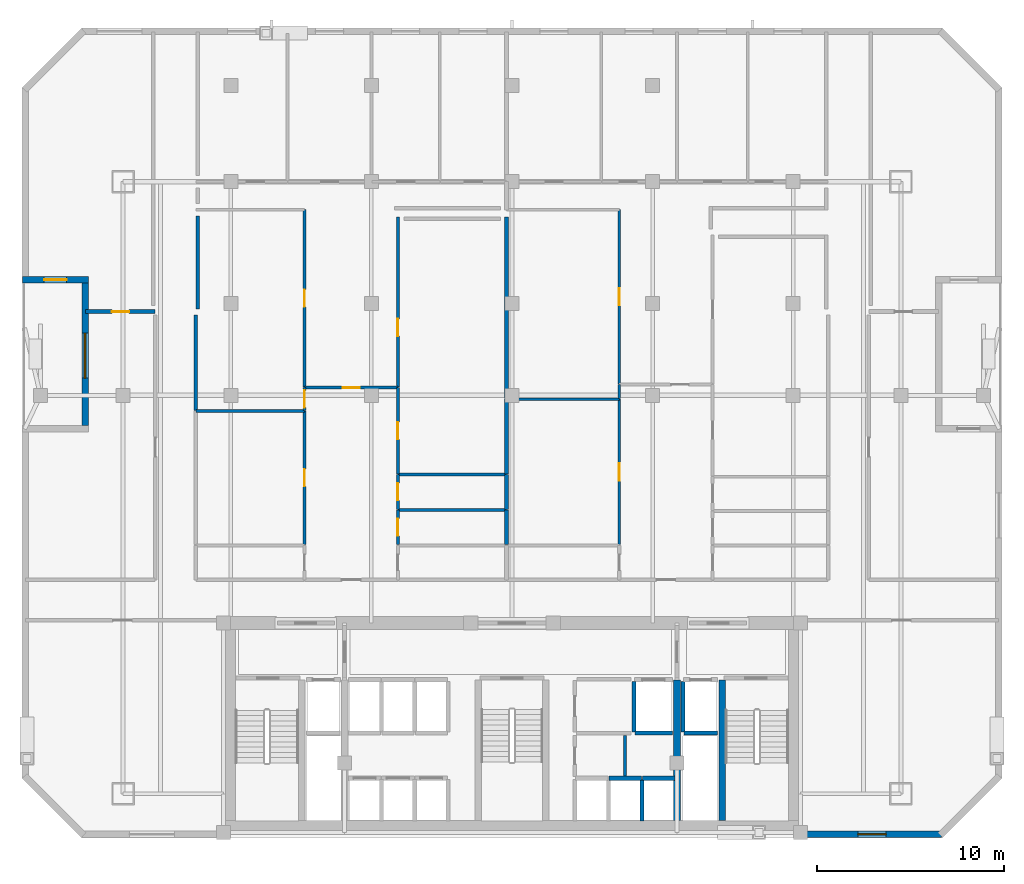
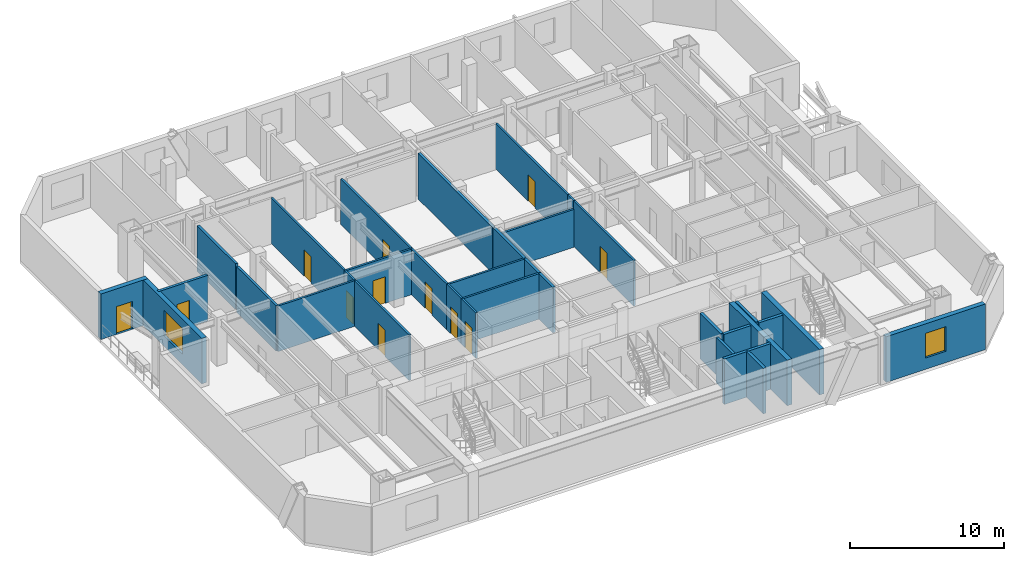
# One storey, part 4 of 9: 35 walls, 12 doors, 2 windows, 14 openings.
"""IFC4 building model written with IfcOpenShell, lengths in metres."""

from ifc_helpers import new_model, si_unit, direction, frame, frame_2d, origin, place, context, subcontext, project, spatial, rectangle, extrude, material, layer, layer_set, type_object, element, fill, save


model = new_model("IFC4")

# Units and contexts
model_context = context("Model", 3, precision=1e-05, world=origin(), true_north=direction((0.0, 1.0)))
body_context = subcontext(model_context, "Body", "Model", "MODEL_VIEW")
ifc_project = project(units=[si_unit("LENGTHUNIT", "METRE"), si_unit("AREAUNIT", "SQUARE_METRE"), si_unit("VOLUMEUNIT", "CUBIC_METRE"), si_unit("PLANEANGLEUNIT", "RADIAN"), si_unit("MASSUNIT", "GRAM", prefix="KILO")], contexts=[model_context])

# Site, building, storey
site_placement = place(None, origin())
site = spatial("IfcSite", under=ifc_project, at=site_placement, CompositionType="ELEMENT")
building_placement = place(site_placement, origin())
building = spatial("IfcBuilding", under=site, at=building_placement, Name="Ventersveld Concourse Tower", CompositionType="ELEMENT")
storey_placement = place(building_placement, frame((0.0, 0.0, 115.699951171875)))
storey = spatial("IfcBuildingStorey", under=building, at=storey_placement, Name="L28", CompositionType="ELEMENT", Elevation=115.699951171875)

# Walls
ifc_material_1 = material(Name="Concrete C60/75", Category="concrete")
ifc_layer_1 = layer(ifc_material_1, 0.35009765625)
ifc_layer_set_1 = layer_set([ifc_layer_1], Name="Concrete C60/75")
wall_type_1 = type_object("IfcWallType", Name="WL-CORE-350L", PredefinedType="SHEAR", material=ifc_layer_set_1)
for number, where, z_axis, x_axis, name in (
    (1, (37.550048828125, 0.919921875, 0.0), (0.0, 0.0, 1.0), (0.0, 1.0, 0.0), "L28 Core Internal Shear Web W-SVL-W"),
    (2, (39.9599609375, 0.919921875, 0.0), (0.0, 0.0, 1.0), (0.0, 1.0, 0.0), "L28 Core Internal Shear Web W-ST2-W"),
):
    element("IfcWall", number, at=place(storey_placement, frame(where, z_axis=z_axis, x_axis=x_axis)), inside=storey, type_object=wall_type_1, Name=name, PredefinedType="SHEAR", context=body_context, shape_type="SweptSolid", body=[
        extrude(rectangle(XDim=7.5, YDim=0.35009765625, at=frame_2d((3.75, 0.0))), origin(), (0.0, 0.0, 1.0), 3.60009765625),
    ])
ifc_material_2 = material(Name="Fire-rated autoclaved aerated masonry blockwork", Category="masonry")
ifc_layer_2 = layer(ifc_material_2, 0.179931640625)
ifc_layer_set_2 = layer_set([ifc_layer_2], Name="Fire-rated autoclaved aerated masonry blockwork")
wall_type_2 = type_object("IfcWallType", Name="WL-CORR-180", PredefinedType="PARTITIONING", material=ifc_layer_set_2)
wall_1_placement = place(storey_placement, frame((34.780029296875, 3.280029296875, 0.0), z_axis=(0.0, 0.0, 1.0), x_axis=(0.0, 1.0, 0.0)))
element("IfcWall", 3, at=wall_1_placement, inside=storey, type_object=wall_type_2, Name="L28 Core East Wall SP-L28-CBAY2", PredefinedType="PARTITIONING", context=body_context, shape_type="SweptSolid", body=[
    extrude(rectangle(XDim=2.169921875, YDim=0.179931640625, at=frame_2d((1.0849609375, 0.0))), origin(), (0.0, 0.0, 1.0), 3.60009765625),
])
wall_2_placement = place(storey_placement, frame((11.889892578125, 22.801513671875, 0.0), z_axis=(0.0, 0.0, 1.0), x_axis=(0.0, 1.0, 0.0)))
element("IfcWall", 4, at=wall_2_placement, inside=storey, type_object=wall_type_2, Name="L28 Interior Partition SP-L28-COR-SP-L28-28N1-MEDL2", PredefinedType="PARTITIONING", context=body_context, shape_type="SweptSolid", body=[
    extrude(rectangle(XDim=5.093505859375, YDim=0.179931640625, at=frame_2d((2.546875, 0.0))), origin(), (0.0, 0.0, 1.0), 3.60009765625),
])
wall_3_placement = place(storey_placement, frame((11.97998046875, 28.2099609375, 0.0), z_axis=(0.0, 0.0, 1.0), x_axis=(0.0, 1.0, 0.0)))
element("IfcWall", 5, at=wall_3_placement, inside=storey, type_object=wall_type_2, Name="L28 Room Enclosure Wall SP-L28-28N1-MEDL2", PredefinedType="PARTITIONING", context=body_context, shape_type="SweptSolid", body=[
    extrude(rectangle(XDim=4.965087890625, YDim=0.179931640625, at=frame_2d((2.482421875, 0.0))), origin(), (0.0, 0.0, 1.0), 3.60009765625),
])

# Wall, opening, door
ifc_layer_3 = layer(ifc_material_2, 0.199951171875)
ifc_layer_set_3 = layer_set([ifc_layer_3], Name="Fire-rated autoclaved aerated masonry blockwork")
wall_type_3 = type_object("IfcWallType", Name="WL-DEMISE-200", PredefinedType="PARTITIONING", material=ifc_layer_set_3)
wall_4_placement = place(storey_placement, frame((6.010009765625, 28.070068359375, 0.0), z_axis=(0.0, 0.0, 1.0), x_axis=(1.0, 0.0, 0.0)))
wall_4 = element("IfcWall", 6, at=wall_4_placement, inside=storey, type_object=wall_type_3, Name="L28 Interior Partition SP-L28-NWLNG1-SP-L28-NWLNG2", PredefinedType="PARTITIONING", context=body_context, shape_type="SweptSolid", body=[
    extrude(rectangle(XDim=3.705078125, YDim=0.199951171875, at=frame_2d((1.8525390625, 0.0))), origin(), (0.0, 0.0, 1.0), 3.60009765625),
])
opening_1_placement = place(wall_4_placement, frame((1.392578125, 0.0, 0.0)))
opening_1 = element("IfcOpeningElement", 7, at=opening_1_placement, cuts=wall_4, Name="Opening ID1", PredefinedType="OPENING", context=body_context, shape_type="SweptSolid", body=[
    extrude(rectangle(XDim=0.919921875, YDim=2.10009765625, at=frame_2d((0.4599609375, 1.050048828125))), frame((0.0, 0.10986328125, 0.0), z_axis=(0.0, -1.0, 0.0), x_axis=(1.0, 0.0, 0.0)), (0.0, 0.0, 1.0), 0.219970703125),
])
ifc_material_3 = material(Name="Solid-core hardwood veneer timber", Category="wood")
door_type_1 = type_object("IfcDoorType", Name="DR-ROOM-092", OperationType="NOTDEFINED", PredefinedType="DOOR", material=ifc_material_3)
door_1_placement = place(opening_1_placement, origin())
door_1 = element("IfcDoor", 8, at=door_1_placement, inside=storey, type_object=door_type_1, Name="L28 Interior Door SP-L28-NWLNG1 to SP-L28-NWLNG2 (D-L28-1390)", OperationType="SINGLE_SWING_RIGHT", OverallHeight=2.10009765625, OverallWidth=0.919921875, PredefinedType="DOOR", context=body_context, shape_type="SweptSolid", body=[
    extrude(rectangle(XDim=0.919921875, YDim=2.10009765625, at=frame_2d((0.4599609375, 1.050048828125))), frame((0.0, 0.02490234375, 0.0), z_axis=(0.0, -1.0, 0.0), x_axis=(1.0, 0.0, 0.0)), (0.0, 0.0, 1.0), 0.050048828125),
])
fill(opening_1, door_1)

# Walls
for number, where, z_axis, x_axis, name in (
    (9, (28.452880859375, 15.635009765625, 0.0), (0.0, 0.0, 1.0), (0.0, 1.0, 0.0), "L28 Interior Partition SP-L28-28N1-KIT-SP-L28-28N2-OFFL0"),
    (10, (28.452880859375, 17.52587890625, 0.0), (0.0, 0.0, 1.0), (0.0, 1.0, 0.0), "L28 Interior Partition SP-L28-28N1-PANR1-SP-L28-28N2-OFFL0"),
):
    element("IfcWall", number, at=place(storey_placement, frame(where, z_axis=z_axis, x_axis=x_axis)), inside=storey, type_object=wall_type_3, Name=name, PredefinedType="PARTITIONING", context=body_context, shape_type="SweptSolid", body=[
        extrude(rectangle(XDim=1.86083984375, YDim=0.199951171875, at=frame_2d((0.930419921875, 0.0))), origin(), (0.0, 0.0, 1.0), 3.60009765625),
    ])
wall_5_placement = place(storey_placement, frame((28.452880859375, 19.41650390625, 0.0), z_axis=(0.0, 0.0, 1.0), x_axis=(0.0, 1.0, 0.0)))
element("IfcWall", 11, at=wall_5_placement, inside=storey, type_object=wall_type_3, Name="L28 Interior Partition SP-L28-28N1-DENR-SP-L28-28N2-OFFL0", PredefinedType="PARTITIONING", context=body_context, shape_type="SweptSolid", body=[
    extrude(rectangle(XDim=3.98486328125, YDim=0.199951171875, at=frame_2d((1.992431640625, 0.0))), origin(), (0.0, 0.0, 1.0), 3.60009765625),
])
wall_6_placement = place(storey_placement, frame((28.452880859375, 23.431396484375, 0.0), z_axis=(0.0, 0.0, 1.0), x_axis=(0.0, 1.0, 0.0)))
element("IfcWall", 12, at=wall_6_placement, inside=storey, type_object=wall_type_3, Name="L28 Interior Partition SP-L28-28N1-DENR-SP-L28-28N2-MEDL2", PredefinedType="PARTITIONING", context=body_context, shape_type="SweptSolid", body=[
    extrude(rectangle(XDim=9.67919921875, YDim=0.199951171875, at=frame_2d((4.839599609375, 0.0))), origin(), (0.0, 0.0, 1.0), 3.60009765625),
])
ifc_layer_4 = layer(ifc_material_2, 0.219970703125)
ifc_layer_set_4 = layer_set([ifc_layer_4], Name="Fire-rated autoclaved aerated masonry blockwork")
wall_type_4 = type_object("IfcWallType", Name="WL-HOIST-220", PredefinedType="SOLIDWALL", material=ifc_layer_set_4)
wall_7_placement = place(storey_placement, frame((37.919921875, 5.590087890625, 0.0), z_axis=(0.0, 0.0, 1.0), x_axis=(1.0, 0.0, 0.0)))
element("IfcWall", 13, at=wall_7_placement, inside=storey, type_object=wall_type_4, Name="L28 Lift Hoistway Back Wall FFL-02", PredefinedType="SOLIDWALL", context=body_context, shape_type="SweptSolid", body=[
    extrude(rectangle(XDim=1.780029296875, YDim=0.219970703125, at=frame_2d((0.89013671875, 0.0))), origin(), (0.0, 0.0, 1.0), 3.60009765625),
])
wall_8_placement = place(storey_placement, frame((37.8798828125, 5.64990234375, 0.0), z_axis=(0.0, 0.0, 1.0), x_axis=(0.0, 1.0, 0.0)))
element("IfcWall", 14, at=wall_8_placement, inside=storey, type_object=wall_type_4, Name="L28 Lift Hoistway Side Wall FFL-02W", PredefinedType="SOLIDWALL", context=body_context, shape_type="SweptSolid", body=[
    extrude(rectangle(XDim=2.7001953125, YDim=0.219970703125, at=frame_2d((1.35009765625, 0.0))), origin(), (0.0, 0.0, 1.0), 3.60009765625),
])
wall_9_placement = place(storey_placement, frame((35.300048828125, 5.590087890625, 0.0), z_axis=(0.0, 0.0, 1.0), x_axis=(1.0, 0.0, 0.0)))
element("IfcWall", 15, at=wall_9_placement, inside=storey, type_object=wall_type_4, Name="L28 Lift Hoistway Back Wall SVL-01", PredefinedType="SOLIDWALL", context=body_context, shape_type="SweptSolid", body=[
    extrude(rectangle(XDim=2.0, YDim=0.219970703125, at=frame_2d((1.0, 0.0))), origin(), (0.0, 0.0, 1.0), 3.60009765625),
])
wall_10_placement = place(storey_placement, frame((35.260009765625, 5.64990234375, 0.0), z_axis=(0.0, 0.0, 1.0), x_axis=(0.0, 1.0, 0.0)))
element("IfcWall", 16, at=wall_10_placement, inside=storey, type_object=wall_type_4, Name="L28 Lift Hoistway Side Wall SVL-01W", PredefinedType="SOLIDWALL", context=body_context, shape_type="SweptSolid", body=[
    extrude(rectangle(XDim=2.7001953125, YDim=0.219970703125, at=frame_2d((1.35009765625, 0.0))), origin(), (0.0, 0.0, 1.0), 3.60009765625),
])
wall_11_placement = place(storey_placement, frame((35.679931640625, 0.89990234375, 0.0), z_axis=(0.0, 0.0, 1.0), x_axis=(0.0, 1.0, 0.0)))
element("IfcWall", 17, at=wall_11_placement, inside=storey, type_object=wall_type_4, Name="L28 Lift Hoistway Side Wall PM-02E", PredefinedType="SOLIDWALL", context=body_context, shape_type="SweptSolid", body=[
    extrude(rectangle(XDim=2.2001953125, YDim=0.219970703125, at=frame_2d((1.10009765625, 0.0))), origin(), (0.0, 0.0, 1.0), 3.60009765625),
])
for number, where, z_axis, x_axis, name in (
    (18, (33.919921875, 3.179931640625, 0.0), (0.0, 0.0, 1.0), (1.0, 0.0, 0.0), "L28 Lift Hoistway Front Wall PM-02"),
    (19, (35.699951171875, 3.179931640625, 0.0), (0.0, 0.0, 1.0), (1.0, 0.0, 0.0), "L28 Lift Hoistway Front Wall PM-03"),
):
    element("IfcWall", number, at=place(storey_placement, frame(where, z_axis=z_axis, x_axis=x_axis)), inside=storey, type_object=wall_type_4, Name=name, PredefinedType="SOLIDWALL", context=body_context, shape_type="SweptSolid", body=[
        extrude(rectangle(XDim=1.739990234375, YDim=0.219970703125, at=frame_2d((0.8701171875, 0.0))), origin(), (0.0, 0.0, 1.0), 3.60009765625),
    ])

# Wall, opening, door
ifc_material_4 = material(Name="Autoclaved aerated masonry blockwork", Category="masonry")
ifc_layer_5 = layer(ifc_material_4, 0.14990234375)
ifc_layer_set_5 = layer_set([ifc_layer_5], Name="Autoclaved aerated masonry blockwork")
wall_type_5 = type_object("IfcWallType", Name="WL-INT-150", PredefinedType="PARTITIONING", material=ifc_layer_set_5)
wall_12_placement = place(storey_placement, frame((17.676513671875, 24.0185546875, 0.0), z_axis=(0.0, 0.0, 1.0), x_axis=(1.0, 0.0, 0.0)))
wall_12 = element("IfcWall", 20, at=wall_12_placement, inside=storey, type_object=wall_type_5, Name="L28 Interior Partition SP-L28-28N1-FOY-SP-L28-28N1-LIV", PredefinedType="PARTITIONING", context=body_context, shape_type="SweptSolid", body=[
    extrude(rectangle(XDim=4.989990234375, YDim=0.14990234375, at=frame_2d((2.4951171875, 0.0))), origin(), (0.0, 0.0, 1.0), 3.60009765625),
])
opening_2_placement = place(wall_12_placement, frame((2.034912109375, 0.0, 0.0)))
opening_2 = element("IfcOpeningElement", 21, at=opening_2_placement, cuts=wall_12, Name="Opening ID1", PredefinedType="OPENING", context=body_context, shape_type="SweptSolid", body=[
    extrude(rectangle(XDim=0.919921875, YDim=2.10009765625, at=frame_2d((0.4599609375, 1.050048828125))), frame((0.0, 0.0849609375, 0.0), z_axis=(0.0, -1.0, 0.0), x_axis=(1.0, 0.0, 0.0)), (0.0, 0.0, 1.0), 0.169921875),
])
door_2_placement = place(opening_2_placement, origin())
door_2 = element("IfcDoor", 22, at=door_2_placement, inside=storey, type_object=door_type_1, Name="L28 Interior Door SP-L28-28N1-FOY to SP-L28-28N1-LIV (D-L28-1392)", OperationType="SINGLE_SWING_RIGHT", OverallHeight=2.10009765625, OverallWidth=0.919921875, PredefinedType="DOOR", context=body_context, shape_type="SweptSolid", body=[
    extrude(rectangle(XDim=0.919921875, YDim=2.10009765625, at=frame_2d((0.4599609375, 1.050048828125))), frame((0.0, 0.02490234375, 0.0), z_axis=(0.0, -1.0, 0.0), x_axis=(1.0, 0.0, 0.0)), (0.0, 0.0, 1.0), 0.050048828125),
])
fill(opening_2, door_2)

wall_13_placement = place(storey_placement, frame((17.681396484375, 15.635009765625, 0.0), z_axis=(0.0, 0.0, 1.0), x_axis=(0.0, 1.0, 0.0)))
wall_13 = element("IfcWall", 23, at=wall_13_placement, inside=storey, type_object=wall_type_5, Name="L28 Interior Partition SP-L28-28N1-FOY-SP-L28-28N1-OFFL0", PredefinedType="PARTITIONING", context=body_context, shape_type="SweptSolid", body=[
    extrude(rectangle(XDim=7.136474609375, YDim=0.14990234375, at=frame_2d((3.568359375, 0.0))), origin(), (0.0, 0.0, 1.0), 3.60009765625),
])
opening_3_placement = place(wall_13_placement, frame((3.108154296875, 0.0, 0.0)))
opening_3 = element("IfcOpeningElement", 24, at=opening_3_placement, cuts=wall_13, Name="Opening ID1", PredefinedType="OPENING", context=body_context, shape_type="SweptSolid", body=[
    extrude(rectangle(XDim=0.919921875, YDim=2.10009765625, at=frame_2d((0.4599609375, 1.050048828125))), frame((0.0, 0.0849609375, 0.0), z_axis=(0.0, -1.0, 0.0), x_axis=(1.0, 0.0, 0.0)), (0.0, 0.0, 1.0), 0.169921875),
])
door_3_placement = place(opening_3_placement, origin())
door_3 = element("IfcDoor", 25, at=door_3_placement, inside=storey, type_object=door_type_1, Name="L28 Interior Door SP-L28-28N1-FOY to SP-L28-28N1-OFFL0 (D-L28-1394)", OperationType="SINGLE_SWING_RIGHT", OverallHeight=2.10009765625, OverallWidth=0.919921875, PredefinedType="DOOR", context=body_context, shape_type="SweptSolid", body=[
    extrude(rectangle(XDim=0.919921875, YDim=2.10009765625, at=frame_2d((0.4599609375, 1.050048828125))), frame((0.0, 0.02490234375, 0.0), z_axis=(0.0, -1.0, 0.0), x_axis=(1.0, 0.0, 0.0)), (0.0, 0.0, 1.0), 0.050048828125),
])
fill(opening_3, door_3)

wall_14_placement = place(storey_placement, frame((17.681396484375, 22.801513671875, 0.0), z_axis=(0.0, 0.0, 1.0), x_axis=(0.0, 1.0, 0.0)))
wall_14 = element("IfcWall", 26, at=wall_14_placement, inside=storey, type_object=wall_type_5, Name="L28 Interior Partition SP-L28-28N1-FOY-SP-L28-28N1-MEDL2", PredefinedType="PARTITIONING", context=body_context, shape_type="SweptSolid", body=[
    extrude(rectangle(XDim=1.22216796875, YDim=0.14990234375, at=frame_2d((0.611083984375, 0.0))), origin(), (0.0, 0.0, 1.0), 3.60009765625),
])
opening_4_placement = place(wall_14_placement, frame((0.15087890625, 0.0, 0.0)))
opening_4 = element("IfcOpeningElement", 27, at=opening_4_placement, cuts=wall_14, Name="Opening ID1", PredefinedType="OPENING", context=body_context, shape_type="SweptSolid", body=[
    extrude(rectangle(XDim=0.919921875, YDim=2.10009765625, at=frame_2d((0.4599609375, 1.050048828125))), frame((0.0, 0.0849609375, 0.0), z_axis=(0.0, -1.0, 0.0), x_axis=(1.0, 0.0, 0.0)), (0.0, 0.0, 1.0), 0.169921875),
])
door_4_placement = place(opening_4_placement, origin())
door_4 = element("IfcDoor", 28, at=door_4_placement, inside=storey, type_object=door_type_1, Name="L28 Interior Door SP-L28-28N1-FOY to SP-L28-28N1-MEDL2 (D-L28-1395)", OperationType="SINGLE_SWING_LEFT", OverallHeight=2.10009765625, OverallWidth=0.919921875, PredefinedType="DOOR", context=body_context, shape_type="SweptSolid", body=[
    extrude(rectangle(XDim=0.919921875, YDim=2.10009765625, at=frame_2d((0.4599609375, 1.050048828125))), frame((0.0, 0.02490234375, 0.0), z_axis=(0.0, -1.0, 0.0), x_axis=(1.0, 0.0, 0.0)), (0.0, 0.0, 1.0), 0.050048828125),
])
fill(opening_4, door_4)

wall_15_placement = place(storey_placement, frame((22.66162109375, 15.635009765625, 0.0), z_axis=(0.0, 0.0, 1.0), x_axis=(0.0, 1.0, 0.0)))
wall_15 = element("IfcWall", 29, at=wall_15_placement, inside=storey, type_object=wall_type_5, Name="L28 Interior Partition SP-L28-28N1-FOY-SP-L28-28N1-KIT", PredefinedType="PARTITIONING", context=body_context, shape_type="SweptSolid", body=[
    extrude(rectangle(XDim=1.86083984375, YDim=0.14990234375, at=frame_2d((0.930419921875, 0.0))), origin(), (0.0, 0.0, 1.0), 3.60009765625),
])
opening_5_placement = place(wall_15_placement, frame((0.470458984375, 0.0, 0.0)))
opening_5 = element("IfcOpeningElement", 30, at=opening_5_placement, cuts=wall_15, Name="Opening ID1", PredefinedType="OPENING", context=body_context, shape_type="SweptSolid", body=[
    extrude(rectangle(XDim=0.919921875, YDim=2.10009765625, at=frame_2d((0.4599609375, 1.050048828125))), frame((0.0, 0.0849609375, 0.0), z_axis=(0.0, -1.0, 0.0), x_axis=(1.0, 0.0, 0.0)), (0.0, 0.0, 1.0), 0.169921875),
])
door_5_placement = place(opening_5_placement, origin())
door_5 = element("IfcDoor", 31, at=door_5_placement, inside=storey, type_object=door_type_1, Name="L28 Interior Door SP-L28-28N1-FOY to SP-L28-28N1-KIT (D-L28-1397)", OperationType="SINGLE_SWING_LEFT", OverallHeight=2.10009765625, OverallWidth=0.919921875, PredefinedType="DOOR", context=body_context, shape_type="SweptSolid", body=[
    extrude(rectangle(XDim=0.919921875, YDim=2.10009765625, at=frame_2d((0.4599609375, 1.050048828125))), frame((0.0, 0.02490234375, 0.0), z_axis=(0.0, -1.0, 0.0), x_axis=(1.0, 0.0, 0.0)), (0.0, 0.0, 1.0), 0.050048828125),
])
fill(opening_5, door_5)

wall_16_placement = place(storey_placement, frame((22.66162109375, 17.52587890625, 0.0), z_axis=(0.0, 0.0, 1.0), x_axis=(0.0, 1.0, 0.0)))
wall_16 = element("IfcWall", 32, at=wall_16_placement, inside=storey, type_object=wall_type_5, Name="L28 Interior Partition SP-L28-28N1-FOY-SP-L28-28N1-PANR1", PredefinedType="PARTITIONING", context=body_context, shape_type="SweptSolid", body=[
    extrude(rectangle(XDim=1.86083984375, YDim=0.14990234375, at=frame_2d((0.930419921875, 0.0))), origin(), (0.0, 0.0, 1.0), 3.60009765625),
])
opening_6_placement = place(wall_16_placement, frame((0.470458984375, 0.0, 0.0)))
opening_6 = element("IfcOpeningElement", 33, at=opening_6_placement, cuts=wall_16, Name="Opening ID1", PredefinedType="OPENING", context=body_context, shape_type="SweptSolid", body=[
    extrude(rectangle(XDim=0.919921875, YDim=2.10009765625, at=frame_2d((0.4599609375, 1.050048828125))), frame((0.0, 0.0849609375, 0.0), z_axis=(0.0, -1.0, 0.0), x_axis=(1.0, 0.0, 0.0)), (0.0, 0.0, 1.0), 0.169921875),
])
door_6_placement = place(opening_6_placement, origin())
door_6 = element("IfcDoor", 34, at=door_6_placement, inside=storey, type_object=door_type_1, Name="L28 Interior Door SP-L28-28N1-FOY to SP-L28-28N1-PANR1 (D-L28-1398)", OperationType="SINGLE_SWING_RIGHT", OverallHeight=2.10009765625, OverallWidth=0.919921875, PredefinedType="DOOR", context=body_context, shape_type="SweptSolid", body=[
    extrude(rectangle(XDim=0.919921875, YDim=2.10009765625, at=frame_2d((0.4599609375, 1.050048828125))), frame((0.0, 0.02490234375, 0.0), z_axis=(0.0, -1.0, 0.0), x_axis=(1.0, 0.0, 0.0)), (0.0, 0.0, 1.0), 0.050048828125),
])
fill(opening_6, door_6)

wall_17_placement = place(storey_placement, frame((22.66162109375, 19.41650390625, 0.0), z_axis=(0.0, 0.0, 1.0), x_axis=(0.0, 1.0, 0.0)))
wall_17 = element("IfcWall", 35, at=wall_17_placement, inside=storey, type_object=wall_type_5, Name="L28 Interior Partition SP-L28-28N1-FOY-SP-L28-28N1-DENR", PredefinedType="PARTITIONING", context=body_context, shape_type="SweptSolid", body=[
    extrude(rectangle(XDim=4.607177734375, YDim=0.14990234375, at=frame_2d((2.3037109375, 0.0))), origin(), (0.0, 0.0, 1.0), 3.60009765625),
])
opening_7_placement = place(wall_17_placement, frame((1.843505859375, 0.0, 0.0)))
opening_7 = element("IfcOpeningElement", 36, at=opening_7_placement, cuts=wall_17, Name="Opening ID1", PredefinedType="OPENING", context=body_context, shape_type="SweptSolid", body=[
    extrude(rectangle(XDim=0.919921875, YDim=2.10009765625, at=frame_2d((0.4599609375, 1.050048828125))), frame((0.0, 0.0849609375, 0.0), z_axis=(0.0, -1.0, 0.0), x_axis=(1.0, 0.0, 0.0)), (0.0, 0.0, 1.0), 0.169921875),
])
door_7_placement = place(opening_7_placement, origin())
door_7 = element("IfcDoor", 37, at=door_7_placement, inside=storey, type_object=door_type_1, Name="L28 Interior Door SP-L28-28N1-FOY to SP-L28-28N1-DENR (D-L28-1399)", OperationType="SINGLE_SWING_LEFT", OverallHeight=2.10009765625, OverallWidth=0.919921875, PredefinedType="DOOR", context=body_context, shape_type="SweptSolid", body=[
    extrude(rectangle(XDim=0.919921875, YDim=2.10009765625, at=frame_2d((0.4599609375, 1.050048828125))), frame((0.0, 0.02490234375, 0.0), z_axis=(0.0, -1.0, 0.0), x_axis=(1.0, 0.0, 0.0)), (0.0, 0.0, 1.0), 0.050048828125),
])
fill(opening_7, door_7)

wall_18_placement = place(storey_placement, frame((17.681396484375, 24.0537109375, 0.0), z_axis=(0.0, 0.0, 1.0), x_axis=(0.0, 1.0, 0.0)))
wall_18 = element("IfcWall", 38, at=wall_18_placement, inside=storey, type_object=wall_type_5, Name="L28 Interior Partition SP-L28-28N1-LIV-SP-L28-28N1-MEDL2", PredefinedType="PARTITIONING", context=body_context, shape_type="SweptSolid", body=[
    extrude(rectangle(XDim=9.451171875, YDim=0.14990234375, at=frame_2d((4.7255859375, 0.0))), origin(), (0.0, 0.0, 1.0), 3.60009765625),
])
opening_8_placement = place(wall_18_placement, frame((4.265625, 0.0, 0.0)))
opening_8 = element("IfcOpeningElement", 39, at=opening_8_placement, cuts=wall_18, Name="Opening ID1", PredefinedType="OPENING", context=body_context, shape_type="SweptSolid", body=[
    extrude(rectangle(XDim=0.919921875, YDim=2.10009765625, at=frame_2d((0.4599609375, 1.050048828125))), frame((0.0, 0.0849609375, 0.0), z_axis=(0.0, -1.0, 0.0), x_axis=(1.0, 0.0, 0.0)), (0.0, 0.0, 1.0), 0.169921875),
])
door_8_placement = place(opening_8_placement, origin())
door_8 = element("IfcDoor", 40, at=door_8_placement, inside=storey, type_object=door_type_1, Name="L28 Interior Door SP-L28-28N1-LIV to SP-L28-28N1-MEDL2 (D-L28-1400)", OperationType="SINGLE_SWING_RIGHT", OverallHeight=2.10009765625, OverallWidth=0.919921875, PredefinedType="DOOR", context=body_context, shape_type="SweptSolid", body=[
    extrude(rectangle(XDim=0.919921875, YDim=2.10009765625, at=frame_2d((0.4599609375, 1.050048828125))), frame((0.0, 0.02490234375, 0.0), z_axis=(0.0, -1.0, 0.0), x_axis=(1.0, 0.0, 0.0)), (0.0, 0.0, 1.0), 0.050048828125),
])
fill(opening_8, door_8)

wall_19_placement = place(storey_placement, frame((22.66162109375, 24.0537109375, 0.0), z_axis=(0.0, 0.0, 1.0), x_axis=(0.0, 1.0, 0.0)))
wall_19 = element("IfcWall", 41, at=wall_19_placement, inside=storey, type_object=wall_type_5, Name="L28 Interior Partition SP-L28-28N1-LIV-SP-L28-28N1-DENR", PredefinedType="PARTITIONING", context=body_context, shape_type="SweptSolid", body=[
    extrude(rectangle(XDim=9.056884765625, YDim=0.14990234375, at=frame_2d((4.5283203125, 0.0))), origin(), (0.0, 0.0, 1.0), 3.60009765625),
])
opening_9_placement = place(wall_19_placement, frame((2.7099609375, 0.0, 0.0)))
opening_9 = element("IfcOpeningElement", 42, at=opening_9_placement, cuts=wall_19, Name="Opening ID1", PredefinedType="OPENING", context=body_context, shape_type="SweptSolid", body=[
    extrude(rectangle(XDim=0.919921875, YDim=2.10009765625, at=frame_2d((0.4599609375, 1.050048828125))), frame((0.0, 0.0849609375, 0.0), z_axis=(0.0, -1.0, 0.0), x_axis=(1.0, 0.0, 0.0)), (0.0, 0.0, 1.0), 0.169921875),
])
door_9_placement = place(opening_9_placement, origin())
door_9 = element("IfcDoor", 43, at=door_9_placement, inside=storey, type_object=door_type_1, Name="L28 Interior Door SP-L28-28N1-LIV to SP-L28-28N1-DENR (D-L28-1401)", OperationType="SINGLE_SWING_LEFT", OverallHeight=2.10009765625, OverallWidth=0.919921875, PredefinedType="DOOR", context=body_context, shape_type="SweptSolid", body=[
    extrude(rectangle(XDim=0.919921875, YDim=2.10009765625, at=frame_2d((0.4599609375, 1.050048828125))), frame((0.0, 0.02490234375, 0.0), z_axis=(0.0, -1.0, 0.0), x_axis=(1.0, 0.0, 0.0)), (0.0, 0.0, 1.0), 0.050048828125),
])
fill(opening_9, door_9)

# Walls
for number, where, z_axis, x_axis, name in (
    (44, (11.885009765625, 22.7666015625, 0.0), (0.0, 0.0, 1.0), (1.0, 0.0, 0.0), "L28 Interior Partition SP-L28-28N1-OFFL0-SP-L28-28N1-MEDL2"),
    (45, (22.656494140625, 17.49072265625, 0.0), (0.0, 0.0, 1.0), (1.0, 0.0, 0.0), "L28 Interior Partition SP-L28-28N1-KIT-SP-L28-28N1-PANR1"),
    (46, (22.656494140625, 19.381591796875, 0.0), (0.0, 0.0, 1.0), (1.0, 0.0, 0.0), "L28 Interior Partition SP-L28-28N1-PANR1-SP-L28-28N1-DENR"),
):
    element("IfcWall", number, at=place(storey_placement, frame(where, z_axis=z_axis, x_axis=x_axis)), inside=storey, type_object=wall_type_5, Name=name, PredefinedType="PARTITIONING", context=body_context, shape_type="SweptSolid", body=[
        extrude(rectangle(XDim=5.801513671875, YDim=0.14990234375, at=frame_2d((2.90087890625, 0.0))), origin(), (0.0, 0.0, 1.0), 3.60009765625),
    ])

# Wall, opening, door
wall_20_placement = place(storey_placement, frame((34.470703125, 15.635009765625, 0.0), z_axis=(0.0, 0.0, 1.0), x_axis=(0.0, 1.0, 0.0)))
wall_20 = element("IfcWall", 47, at=wall_20_placement, inside=storey, type_object=wall_type_5, Name="L28 Interior Partition SP-L28-28N2-FOY-SP-L28-28N2-OFFL0", PredefinedType="PARTITIONING", context=body_context, shape_type="SweptSolid", body=[
    extrude(rectangle(XDim=7.766357421875, YDim=0.14990234375, at=frame_2d((3.88330078125, 0.0))), origin(), (0.0, 0.0, 1.0), 3.60009765625),
])
opening_10_placement = place(wall_20_placement, frame((3.423095703125, 0.0, 0.0)))
opening_10 = element("IfcOpeningElement", 48, at=opening_10_placement, cuts=wall_20, Name="Opening ID1", PredefinedType="OPENING", context=body_context, shape_type="SweptSolid", body=[
    extrude(rectangle(XDim=0.919921875, YDim=2.10009765625, at=frame_2d((0.4599609375, 1.050048828125))), frame((0.0, 0.0849609375, 0.0), z_axis=(0.0, -1.0, 0.0), x_axis=(1.0, 0.0, 0.0)), (0.0, 0.0, 1.0), 0.169921875),
])
door_10_placement = place(opening_10_placement, origin())
door_10 = element("IfcDoor", 49, at=door_10_placement, inside=storey, type_object=door_type_1, Name="L28 Interior Door SP-L28-28N2-FOY to SP-L28-28N2-OFFL0 (D-L28-1408)", OperationType="SINGLE_SWING_RIGHT", OverallHeight=2.10009765625, OverallWidth=0.919921875, PredefinedType="DOOR", context=body_context, shape_type="SweptSolid", body=[
    extrude(rectangle(XDim=0.919921875, YDim=2.10009765625, at=frame_2d((0.4599609375, 1.050048828125))), frame((0.0, 0.02490234375, 0.0), z_axis=(0.0, -1.0, 0.0), x_axis=(1.0, 0.0, 0.0)), (0.0, 0.0, 1.0), 0.050048828125),
])
fill(opening_10, door_10)

# Wall
wall_21_placement = place(storey_placement, frame((34.470703125, 23.431396484375, 0.0), z_axis=(0.0, 0.0, 1.0), x_axis=(0.0, 1.0, 0.0)))
element("IfcWall", 50, at=wall_21_placement, inside=storey, type_object=wall_type_5, Name="L28 Interior Partition SP-L28-28N2-FOY-SP-L28-28N2-MEDL2", PredefinedType="PARTITIONING", context=body_context, shape_type="SweptSolid", body=[
    extrude(rectangle(XDim=0.755615234375, YDim=0.14990234375, at=frame_2d((0.3779296875, 0.0))), origin(), (0.0, 0.0, 1.0), 3.60009765625),
])

# Wall, opening, door
wall_22_placement = place(storey_placement, frame((34.470703125, 24.217041015625, 0.0), z_axis=(0.0, 0.0, 1.0), x_axis=(0.0, 1.0, 0.0)))
wall_22 = element("IfcWall", 51, at=wall_22_placement, inside=storey, type_object=wall_type_5, Name="L28 Interior Partition SP-L28-28N2-LIV-SP-L28-28N2-MEDL2", PredefinedType="PARTITIONING", context=body_context, shape_type="SweptSolid", body=[
    extrude(rectangle(XDim=9.287841796875, YDim=0.14990234375, at=frame_2d((4.64404296875, 0.0))), origin(), (0.0, 0.0, 1.0), 3.60009765625),
])
opening_11_placement = place(wall_22_placement, frame((4.18408203125, 0.0, 0.0)))
opening_11 = element("IfcOpeningElement", 52, at=opening_11_placement, cuts=wall_22, Name="Opening ID1", PredefinedType="OPENING", context=body_context, shape_type="SweptSolid", body=[
    extrude(rectangle(XDim=0.919921875, YDim=2.10009765625, at=frame_2d((0.4599609375, 1.050048828125))), frame((0.0, 0.0849609375, 0.0), z_axis=(0.0, -1.0, 0.0), x_axis=(1.0, 0.0, 0.0)), (0.0, 0.0, 1.0), 0.169921875),
])
door_11_placement = place(opening_11_placement, origin())
door_11 = element("IfcDoor", 53, at=door_11_placement, inside=storey, type_object=door_type_1, Name="L28 Interior Door SP-L28-28N2-LIV to SP-L28-28N2-MEDL2 (D-L28-1413)", OperationType="SINGLE_SWING_LEFT", OverallHeight=2.10009765625, OverallWidth=0.919921875, PredefinedType="DOOR", context=body_context, shape_type="SweptSolid", body=[
    extrude(rectangle(XDim=0.919921875, YDim=2.10009765625, at=frame_2d((0.4599609375, 1.050048828125))), frame((0.0, 0.02490234375, 0.0), z_axis=(0.0, -1.0, 0.0), x_axis=(1.0, 0.0, 0.0)), (0.0, 0.0, 1.0), 0.050048828125),
])
fill(opening_11, door_11)

# Wall
wall_23_placement = place(storey_placement, frame((28.447998046875, 23.396240234375, 0.0), z_axis=(0.0, 0.0, 1.0), x_axis=(1.0, 0.0, 0.0)))
element("IfcWall", 54, at=wall_23_placement, inside=storey, type_object=wall_type_5, Name="L28 Interior Partition SP-L28-28N2-OFFL0-SP-L28-28N2-MEDL2", PredefinedType="PARTITIONING", context=body_context, shape_type="SweptSolid", body=[
    extrude(rectangle(XDim=6.02783203125, YDim=0.14990234375, at=frame_2d((3.013916015625, 0.0))), origin(), (0.0, 0.0, 1.0), 2.98291015625),
])

# Wall, opening, window
ifc_material_5 = material(Name="Precast concrete C45/55", Category="concrete")
ifc_layer_6 = layer(ifc_material_5, 0.35009765625)
ifc_layer_set_6 = layer_set([ifc_layer_6], Name="Precast concrete C45/55")
wall_type_6 = type_object("IfcWallType", Name="WL-PREC-350", PredefinedType="SOLIDWALL", material=ifc_layer_set_6)
wall_24_placement = place(storey_placement, frame((44.25, 0.179931640625, 0.0), z_axis=(0.0, 0.0, 1.0), x_axis=(1.0, 0.0, 0.0)))
wall_24 = element("IfcWall", 55, at=wall_24_placement, inside=storey, type_object=wall_type_6, Name="L28 South-East Flank Precast Wall", PredefinedType="SOLIDWALL", context=body_context, shape_type="SweptSolid", body=[
    extrude(rectangle(XDim=7.409912109375, YDim=0.35009765625, at=frame_2d((3.705078125, 0.0))), origin(), (0.0, 0.0, 1.0), 3.60009765625),
])
opening_12_placement = place(wall_24_placement, frame((2.955078125, 0.0, 0.89990234375)))
opening_12 = element("IfcOpeningElement", 56, at=opening_12_placement, cuts=wall_24, Name="Opening W1", PredefinedType="OPENING", context=body_context, shape_type="SweptSolid", body=[
    extrude(rectangle(XDim=1.5, YDim=1.949951171875, at=frame_2d((0.75, 0.97509765625))), frame((0.0, 0.18505859375, 0.0), z_axis=(0.0, -1.0, 0.0), x_axis=(1.0, 0.0, 0.0)), (0.0, 0.0, 1.0), 0.3701171875),
])
ifc_material_6 = material(Name="Tempered acoustic Low-E IGU", Category="glass")
window_type_1 = type_object("IfcWindowType", Name="WIN-150x210", PartitioningType="SINGLE_PANEL", PredefinedType="WINDOW", material=ifc_material_6)
window_1_placement = place(opening_12_placement, origin())
window_1 = element("IfcWindow", 57, at=window_1_placement, inside=storey, type_object=window_type_1, Name="L28 Punched Low-E Window W-0342", OverallHeight=1.949951171875, OverallWidth=1.5, PartitioningType="SINGLE_PANEL", PredefinedType="WINDOW", context=body_context, shape_type="SweptSolid", body=[
    extrude(rectangle(XDim=1.5, YDim=1.949951171875, at=frame_2d((0.75, 0.97509765625))), frame((0.0, 0.030029296875, 0.0), z_axis=(0.0, -1.0, 0.0), x_axis=(1.0, 0.0, 0.0)), (0.0, 0.0, 1.0), 0.06005859375),
])
fill(opening_12, window_1)

# Wall, opening, door
wall_25_placement = place(storey_placement, frame((2.639892578125, 29.77490234375, 0.0), z_axis=(0.0, 0.0, 1.0), x_axis=(1.0, 0.0, 0.0)))
wall_25 = element("IfcWall", 58, at=wall_25_placement, inside=storey, type_object=wall_type_6, Name="L28 Highveld Precast Facade Wall E12", PredefinedType="SOLIDWALL", context=body_context, shape_type="SweptSolid", body=[
    extrude(rectangle(XDim=3.510009765625, YDim=0.35009765625, at=frame_2d((1.7548828125, 0.0))), origin(), (0.0, 0.0, 1.0), 3.60009765625),
])
opening_13_placement = place(wall_25_placement, frame((1.155029296875, 0.0, 0.0)))
opening_13 = element("IfcOpeningElement", 59, at=opening_13_placement, cuts=wall_25, Name="Opening TD1", PredefinedType="OPENING", context=body_context, shape_type="SweptSolid", body=[
    extrude(rectangle(XDim=1.199951171875, YDim=2.199951171875, at=frame_2d((0.60009765625, 1.10009765625))), frame((0.0, 0.18505859375, 0.0), z_axis=(0.0, -1.0, 0.0), x_axis=(1.0, 0.0, 0.0)), (0.0, 0.0, 1.0), 0.3701171875),
])
ifc_material_7 = material(Name="Anodised aluminium EN AW-6063-T6", Category="aluminium")
door_type_2 = type_object("IfcDoorType", Name="DR-TERR-120", OperationType="NOTDEFINED", PredefinedType="DOOR", material=ifc_material_7)
door_12_placement = place(opening_13_placement, frame((1.199951171875, 0.0, 0.0), z_axis=(0.0, 0.0, 1.0), x_axis=(-1.0, 0.0, 0.0)))
door_12 = element("IfcDoor", 60, at=door_12_placement, inside=storey, type_object=door_type_2, Name="L28 Stepped Valley Terrace Door TD-L28-01", OperationType="SINGLE_SWING_LEFT", OverallHeight=2.199951171875, OverallWidth=1.199951171875, PredefinedType="DOOR", context=body_context, shape_type="SweptSolid", body=[
    extrude(rectangle(XDim=1.199951171875, YDim=2.199951171875, at=frame_2d((0.60009765625, 1.10009765625))), frame((0.0, 0.02490234375, 0.0), z_axis=(0.0, -1.0, 0.0), x_axis=(1.0, 0.0, 0.0)), (0.0, 0.0, 1.0), 0.050048828125),
])
fill(opening_13, door_12)

# Wall, opening, window
wall_26_placement = place(storey_placement, frame((5.97509765625, 29.60009765625, 0.0), z_axis=(0.0, 0.0, 1.0), x_axis=(0.0, -1.0, 0.0)))
wall_26 = element("IfcWall", 61, at=wall_26_placement, inside=storey, type_object=wall_type_6, Name="L28 Highveld Precast Facade Wall E13", PredefinedType="SOLIDWALL", context=body_context, shape_type="SweptSolid", body=[
    extrude(rectangle(XDim=7.60009765625, YDim=0.35009765625, at=frame_2d((3.800048828125, 0.0))), origin(), (0.0, 0.0, 1.0), 3.60009765625),
])
opening_14_placement = place(wall_26_placement, frame((2.681396484375, 0.0, 0.85009765625)))
opening_14 = element("IfcOpeningElement", 62, at=opening_14_placement, cuts=wall_26, Name="Opening W5", PredefinedType="OPENING", context=body_context, shape_type="SweptSolid", body=[
    extrude(rectangle(XDim=2.39990234375, YDim=2.0, at=frame_2d((1.199951171875, 1.0))), frame((0.0, 0.18505859375, 0.0), z_axis=(0.0, -1.0, 0.0), x_axis=(1.0, 0.0, 0.0)), (0.0, 0.0, 1.0), 0.3701171875),
])
window_type_2 = type_object("IfcWindowType", Name="WIN-240x210", PartitioningType="SINGLE_PANEL", PredefinedType="WINDOW", material=ifc_material_6)
window_2_placement = place(opening_14_placement, origin())
window_2 = element("IfcWindow", 63, at=window_2_placement, inside=storey, type_object=window_type_2, Name="L28 Punched Low-E Window W-0343", OverallHeight=2.0, OverallWidth=2.39990234375, PartitioningType="SINGLE_PANEL", PredefinedType="WINDOW", context=body_context, shape_type="SweptSolid", body=[
    extrude(rectangle(XDim=2.39990234375, YDim=2.0, at=frame_2d((1.199951171875, 1.0))), frame((0.0, 0.030029296875, 0.0), z_axis=(0.0, -1.0, 0.0), x_axis=(1.0, 0.0, 0.0)), (0.0, 0.0, 1.0), 0.06005859375),
])
fill(opening_14, window_2)

save(model, "model.ifc")
